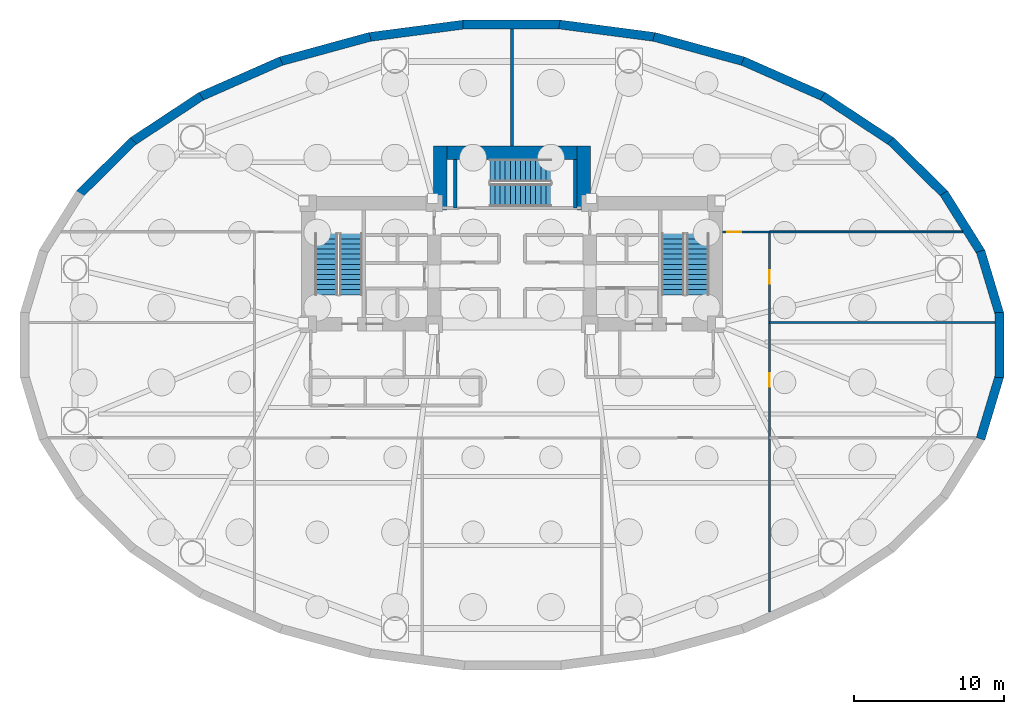
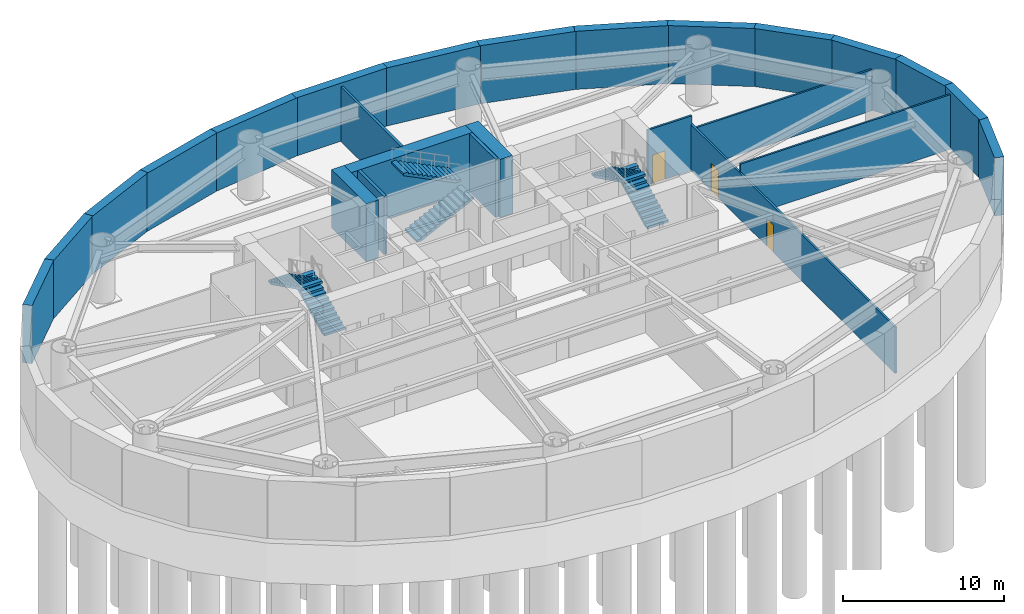
# One storey, part 5 of 7: 25 walls, 6 stair flights, 3 doors, 3 openings, 3 elements without a shape of their own.
"""IFC4 building model written with IfcOpenShell, lengths in metres."""

from ifc_helpers import new_model, si_unit, direction, frame, frame_2d, origin, place, context, subcontext, project, spatial, polyline, rectangle, outline, extrude, material, layer, layer_set, type_object, element, fill, aggregate, save


model = new_model("IFC4")

# Units and contexts
model_context = context("Model", 3, precision=1e-05, world=origin(), true_north=direction((0.0, 1.0)))
body_context = subcontext(model_context, "Body", "Model", "MODEL_VIEW")
ifc_project = project(units=[si_unit("LENGTHUNIT", "METRE"), si_unit("AREAUNIT", "SQUARE_METRE"), si_unit("VOLUMEUNIT", "CUBIC_METRE"), si_unit("PLANEANGLEUNIT", "RADIAN"), si_unit("MASSUNIT", "GRAM", prefix="KILO")], contexts=[model_context])

# Site, building, storey
site_placement = place(None, origin())
site = spatial("IfcSite", under=ifc_project, at=site_placement, CompositionType="ELEMENT")
building_placement = place(site_placement, origin())
building = spatial("IfcBuilding", under=site, at=building_placement, Name="Keldmark Tower", CompositionType="ELEMENT")
storey_placement = place(building_placement, frame((0.0, 0.0, -8.800048828125)))
storey = spatial("IfcBuildingStorey", under=building, at=storey_placement, Name="B02", CompositionType="ELEMENT", Elevation=-8.800048828125)

# Wall, openings, doors
ifc_material_1 = material(Name="Acoustic Double-Layer Gypsum Corridor Partition", Category="gypsum")
ifc_layer_1 = layer(ifc_material_1, 0.139892578125)
ifc_layer_set_1 = layer_set([ifc_layer_1], Name="Acoustic Double-Layer Gypsum Corridor Partition")
wall_type_1 = type_object("IfcWallType", Name="Acoustic Corridor Partition 140 mm", PredefinedType="PARTITIONING", material=ifc_layer_set_1)
wall_1_placement = place(storey_placement, frame((17.199951171875, -17.835693359375, 0.0), z_axis=(0.0, 0.0, 1.0), x_axis=(0.0, 1.0, 0.0)))
wall_1 = element("IfcWall", 1, at=wall_1_placement, inside=storey, type_object=wall_type_1, Name="B02 Acoustic Corridor Partition 140 mm COR-E", PredefinedType="PARTITIONING", context=body_context, shape_type="SweptSolid", body=[
    extrude(rectangle(XDim=25.3857421875, YDim=0.139892578125, at=frame_2d((12.69287109375, 0.0))), origin(), (0.0, 0.0, 1.0), 3.508056640625),
])
opening_1_placement = place(wall_1_placement, frame((15.03564453125, 0.0, 0.0)))
opening_1 = element("IfcOpeningElement", 2, at=opening_1_placement, cuts=wall_1, Name="Opening D-IN090", PredefinedType="OPENING", context=body_context, shape_type="SweptSolid", body=[
    extrude(rectangle(XDim=0.89990234375, YDim=2.10009765625, at=frame_2d((0.449951171875, 1.050048828125))), frame((0.0, 0.079833984375, 0.0), z_axis=(0.0, -1.0, 0.0), x_axis=(1.0, 0.0, 0.0)), (0.0, 0.0, 1.0), 0.159912109375),
])
opening_2_placement = place(wall_1_placement, frame((21.91064453125, 0.0, 0.0)))
opening_2 = element("IfcOpeningElement", 3, at=opening_2_placement, cuts=wall_1, Name="Opening D-IN090", PredefinedType="OPENING", context=body_context, shape_type="SweptSolid", body=[
    extrude(rectangle(XDim=0.89990234375, YDim=2.10009765625, at=frame_2d((0.449951171875, 1.050048828125))), frame((0.0, 0.079833984375, 0.0), z_axis=(0.0, -1.0, 0.0), x_axis=(1.0, 0.0, 0.0)), (0.0, 0.0, 1.0), 0.159912109375),
])
ifc_material_2 = material(Name="Stained American White Oak Veneer", Category="wood")
door_type_1 = type_object("IfcDoorType", Name="Interior Door 900x2100", OperationType="NOTDEFINED", PredefinedType="DOOR", material=ifc_material_2)
door_1_placement = place(opening_1_placement, origin())
door_1 = element("IfcDoor", 4, at=door_1_placement, inside=storey, type_object=door_type_1, Name="B02 Interior Door 900x2100 D-ER-1-B02", OperationType="SINGLE_SWING_RIGHT", OverallHeight=2.10009765625, OverallWidth=0.89990234375, PredefinedType="DOOR", context=body_context, shape_type="SweptSolid", body=[
    extrude(rectangle(XDim=0.89990234375, YDim=2.10009765625, at=frame_2d((0.449951171875, 1.050048828125))), frame((0.0, 0.02490234375, 0.0), z_axis=(0.0, -1.0, 0.0), x_axis=(1.0, 0.0, 0.0)), (0.0, 0.0, 1.0), 0.050048828125),
])
fill(opening_1, door_1)
door_2_placement = place(opening_2_placement, origin())
door_2 = element("IfcDoor", 5, at=door_2_placement, inside=storey, type_object=door_type_1, Name="B02 Interior Door 900x2100 D-ER-2-B02", OperationType="SINGLE_SWING_LEFT", OverallHeight=2.10009765625, OverallWidth=0.89990234375, PredefinedType="DOOR", context=body_context, shape_type="SweptSolid", body=[
    extrude(rectangle(XDim=0.89990234375, YDim=2.10009765625, at=frame_2d((0.449951171875, 1.050048828125))), frame((0.0, 0.02490234375, 0.0), z_axis=(0.0, -1.0, 0.0), x_axis=(1.0, 0.0, 0.0)), (0.0, 0.0, 1.0), 0.050048828125),
])
fill(opening_2, door_2)

# Wall, opening, door
wall_2_placement = place(storey_placement, frame((14.050048828125, 7.550048828125, 0.0), z_axis=(0.0, 0.0, 1.0), x_axis=(1.0, 0.0, 0.0)))
wall_2 = element("IfcWall", 6, at=wall_2_placement, inside=storey, type_object=wall_type_1, Name="B02 Acoustic Corridor Partition 140 mm COR-EN-CAP", PredefinedType="PARTITIONING", context=body_context, shape_type="SweptSolid", body=[
    extrude(rectangle(XDim=3.14990234375, YDim=0.139892578125, at=frame_2d((1.574951171875, 0.0))), origin(), (0.0, 0.0, 1.0), 4.14013671875),
])
opening_3_placement = place(wall_2_placement, frame((0.320068359375, 0.0, 0.0)))
opening_3 = element("IfcOpeningElement", 7, at=opening_3_placement, cuts=wall_2, Name="Opening D-EX092", PredefinedType="OPENING", context=body_context, shape_type="SweptSolid", body=[
    extrude(rectangle(XDim=0.919921875, YDim=2.14990234375, at=frame_2d((0.4599609375, 1.074951171875))), frame((0.0, 0.079833984375, 0.0), z_axis=(0.0, -1.0, 0.0), x_axis=(1.0, 0.0, 0.0)), (0.0, 0.0, 1.0), 0.159912109375),
])
ifc_material_3 = material(Name="Flush American Ash Executive Office Door", Category="wood")
door_type_2 = type_object("IfcDoorType", Name="Executive Office Door 920x2150", OperationType="NOTDEFINED", PredefinedType="DOOR", material=ifc_material_3)
door_3_placement = place(opening_3_placement, origin())
door_3 = element("IfcDoor", 8, at=door_3_placement, inside=storey, type_object=door_type_2, Name="B02 Executive Office Door 920x2150 D-NRNE-B02", OperationType="SINGLE_SWING_RIGHT", OverallHeight=2.14990234375, OverallWidth=0.919921875, PredefinedType="DOOR", context=body_context, shape_type="SweptSolid", body=[
    extrude(rectangle(XDim=0.919921875, YDim=2.14990234375, at=frame_2d((0.4599609375, 1.074951171875))), frame((0.0, 0.02490234375, 0.0), z_axis=(0.0, -1.0, 0.0), x_axis=(1.0, 0.0, 0.0)), (0.0, 0.0, 1.0), 0.050048828125),
])
fill(opening_3, door_3)

# Walls
ifc_material_4 = material(Name="Concrete C50/60", Category="concrete")
ifc_layer_2 = layer(ifc_material_4, 0.60009765625)
ifc_layer_set_2 = layer_set([ifc_layer_2], Name="Concrete C50/60")
wall_type_2 = type_object("IfcWallType", Name="Basement Retaining Wall 600 mm", PredefinedType="USERDEFINED", material=ifc_layer_set_2)
wall_3_placement = place(storey_placement, frame((32.5625, 2.021484375, 0.0), z_axis=(0.0, 0.0, 1.0), x_axis=(-0.288296686647, 0.95754113252, 0.0)))
element("IfcWall", 9, at=wall_3_placement, inside=storey, type_object=wall_type_2, Name="B02 Perimeter Retaining Wall 01", ObjectType="RETAINING WALL", PredefinedType="USERDEFINED", context=body_context, shape_type="SweptSolid", body=[
    extrude(rectangle(XDim=4.4375, YDim=0.60009765625, at=frame_2d((2.21875, 0.0))), origin(), (0.0, 0.0, 1.0), 4.400146484375),
])
wall_4_placement = place(storey_placement, frame((31.3408203125, 6.143310546875, 0.0), z_axis=(0.0, 0.0, 1.0), x_axis=(-0.531244363113, 0.847218641592, 0.0)))
element("IfcWall", 10, at=wall_4_placement, inside=storey, type_object=wall_type_2, Name="B02 Perimeter Retaining Wall 02", ObjectType="RETAINING WALL", PredefinedType="USERDEFINED", context=body_context, shape_type="SweptSolid", body=[
    extrude(rectangle(XDim=4.72021484375, YDim=0.60009765625, at=frame_2d((2.360107421875, 0.0))), origin(), (0.0, 0.0, 1.0), 4.400146484375),
])
wall_5_placement = place(storey_placement, frame((28.913818359375, 10.0419921875, 0.0), z_axis=(0.0, 0.0, 1.0), x_axis=(-0.711105403666, 0.70308541791, 0.0)))
element("IfcWall", 11, at=wall_5_placement, inside=storey, type_object=wall_type_2, Name="B02 Perimeter Retaining Wall 03", ObjectType="RETAINING WALL", PredefinedType="USERDEFINED", context=body_context, shape_type="SweptSolid", body=[
    extrude(rectangle(XDim=5.1142578125, YDim=0.60009765625, at=frame_2d((2.55712890625, 0.0))), origin(), (0.0, 0.0, 1.0), 4.400146484375),
])
wall_6_placement = place(storey_placement, frame((25.368896484375, 13.56298828125, 0.0), z_axis=(0.0, 0.0, 1.0), x_axis=(-0.834367518908, 0.551208529861, 0.0)))
element("IfcWall", 12, at=wall_6_placement, inside=storey, type_object=wall_type_2, Name="B02 Perimeter Retaining Wall 04", ObjectType="RETAINING WALL", PredefinedType="USERDEFINED", context=body_context, shape_type="SweptSolid", body=[
    extrude(rectangle(XDim=5.542236328125, YDim=0.60009765625, at=frame_2d((2.77099609375, 0.0))), origin(), (0.0, 0.0, 1.0), 4.400146484375),
])
wall_7_placement = place(storey_placement, frame((20.84130859375, 16.56494140625, 0.0), z_axis=(0.0, 0.0, 1.0), x_axis=(-0.91483072277, 0.403837527574, 0.0)))
element("IfcWall", 13, at=wall_7_placement, inside=storey, type_object=wall_type_2, Name="B02 Perimeter Retaining Wall 05", ObjectType="RETAINING WALL", PredefinedType="USERDEFINED", context=body_context, shape_type="SweptSolid", body=[
    extrude(rectangle(XDim=5.939697265625, YDim=0.60009765625, at=frame_2d((2.9697265625, 0.0))), origin(), (0.0, 0.0, 1.0), 4.400146484375),
])
wall_8_placement = place(storey_placement, frame((15.505859375, 18.9287109375, 0.0), z_axis=(0.0, 0.0, 1.0), x_axis=(-0.964548276597, 0.263906464707, 0.0)))
element("IfcWall", 14, at=wall_8_placement, inside=storey, type_object=wall_type_2, Name="B02 Perimeter Retaining Wall 06", ObjectType="RETAINING WALL", PredefinedType="USERDEFINED", context=body_context, shape_type="SweptSolid", body=[
    extrude(rectangle(XDim=6.256591796875, YDim=0.60009765625, at=frame_2d((3.12841796875, 0.0))), origin(), (0.0, 0.0, 1.0), 4.400146484375),
])
wall_9_placement = place(storey_placement, frame((9.570068359375, 20.559814453125, 0.0), z_axis=(0.0, 0.0, 1.0), x_axis=(-0.991471782517, 0.130321542624, 0.0)))
element("IfcWall", 15, at=wall_9_placement, inside=storey, type_object=wall_type_2, Name="B02 Perimeter Retaining Wall 07", ObjectType="RETAINING WALL", PredefinedType="USERDEFINED", context=body_context, shape_type="SweptSolid", body=[
    extrude(rectangle(XDim=6.45947265625, YDim=0.60009765625, at=frame_2d((3.229736328125, 0.0))), origin(), (0.0, 0.0, 1.0), 4.400146484375),
])
wall_10_placement = place(storey_placement, frame((3.2646484375, 21.39501953125, 0.0), z_axis=(0.0, 0.0, 1.0), x_axis=(-1.0, 0.0, 0.0)))
element("IfcWall", 16, at=wall_10_placement, inside=storey, type_object=wall_type_2, Name="B02 Perimeter Retaining Wall 08", ObjectType="RETAINING WALL", PredefinedType="USERDEFINED", context=body_context, shape_type="SweptSolid", body=[
    extrude(rectangle(XDim=6.529296875, YDim=0.60009765625, at=frame_2d((3.2646484375, 0.0))), origin(), (0.0, 0.0, 1.0), 4.400146484375),
])
wall_11_placement = place(storey_placement, frame((-3.165771484375, 21.401611328125, 0.0), z_axis=(0.0, 0.0, 1.0), x_axis=(-0.991471782517, -0.130321542624, 0.0)))
element("IfcWall", 17, at=wall_11_placement, inside=storey, type_object=wall_type_2, Name="B02 Perimeter Retaining Wall 09", ObjectType="RETAINING WALL", PredefinedType="USERDEFINED", context=body_context, shape_type="SweptSolid", body=[
    extrude(rectangle(XDim=6.45947265625, YDim=0.60009765625, at=frame_2d((3.229736328125, 0.0))), origin(), (0.0, 0.0, 1.0), 4.400146484375),
])
wall_12_placement = place(storey_placement, frame((-9.47119140625, 20.579833984375, 0.0), z_axis=(0.0, 0.0, 1.0), x_axis=(-0.964548276597, -0.263906464707, 0.0)))
element("IfcWall", 18, at=wall_12_placement, inside=storey, type_object=wall_type_2, Name="B02 Perimeter Retaining Wall 10", ObjectType="RETAINING WALL", PredefinedType="USERDEFINED", context=body_context, shape_type="SweptSolid", body=[
    extrude(rectangle(XDim=6.256591796875, YDim=0.60009765625, at=frame_2d((3.12841796875, 0.0))), origin(), (0.0, 0.0, 1.0), 4.400146484375),
])
wall_13_placement = place(storey_placement, frame((-15.407470703125, 18.963623046875, 0.0), z_axis=(0.0, 0.0, 1.0), x_axis=(-0.91483072277, -0.403837527574, 0.0)))
element("IfcWall", 19, at=wall_13_placement, inside=storey, type_object=wall_type_2, Name="B02 Perimeter Retaining Wall 11", ObjectType="RETAINING WALL", PredefinedType="USERDEFINED", context=body_context, shape_type="SweptSolid", body=[
    extrude(rectangle(XDim=5.939697265625, YDim=0.60009765625, at=frame_2d((2.9697265625, 0.0))), origin(), (0.0, 0.0, 1.0), 4.400146484375),
])
wall_14_placement = place(storey_placement, frame((-20.74462890625, 16.617919921875, 0.0), z_axis=(0.0, 0.0, 1.0), x_axis=(-0.834367518908, -0.551208529861, 0.0)))
element("IfcWall", 20, at=wall_14_placement, inside=storey, type_object=wall_type_2, Name="B02 Perimeter Retaining Wall 12", ObjectType="RETAINING WALL", PredefinedType="USERDEFINED", context=body_context, shape_type="SweptSolid", body=[
    extrude(rectangle(XDim=5.542236328125, YDim=0.60009765625, at=frame_2d((2.77099609375, 0.0))), origin(), (0.0, 0.0, 1.0), 4.400146484375),
])
wall_15_placement = place(storey_placement, frame((-25.277099609375, 13.6376953125, 0.0), z_axis=(0.0, 0.0, 1.0), x_axis=(-0.711105403666, -0.70308541791, 0.0)))
element("IfcWall", 21, at=wall_15_placement, inside=storey, type_object=wall_type_2, Name="B02 Perimeter Retaining Wall 13", ObjectType="RETAINING WALL", PredefinedType="USERDEFINED", context=body_context, shape_type="SweptSolid", body=[
    extrude(rectangle(XDim=5.1142578125, YDim=0.60009765625, at=frame_2d((2.55712890625, 0.0))), origin(), (0.0, 0.0, 1.0), 4.400146484375),
])
wall_16_placement = place(storey_placement, frame((31.283203125, -6.2705078125, 0.0), z_axis=(0.0, 0.0, 1.0), x_axis=(0.288296686647, 0.95754113252, 0.0)))
element("IfcWall", 22, at=wall_16_placement, inside=storey, type_object=wall_type_2, Name="B02 Perimeter Retaining Wall 31", ObjectType="RETAINING WALL", PredefinedType="USERDEFINED", context=body_context, shape_type="SweptSolid", body=[
    extrude(rectangle(XDim=4.4375, YDim=0.60009765625, at=frame_2d((2.21875, 0.0))), origin(), (0.0, 0.0, 1.0), 4.400146484375),
])
wall_17_placement = place(storey_placement, frame((32.541015625, -2.166748046875, 0.0), z_axis=(0.0, 0.0, 1.0), x_axis=(0.0, 1.0, 0.0)))
element("IfcWall", 23, at=wall_17_placement, inside=storey, type_object=wall_type_2, Name="B02 Perimeter Retaining Wall 32", ObjectType="RETAINING WALL", PredefinedType="USERDEFINED", context=body_context, shape_type="SweptSolid", body=[
    extrude(rectangle(XDim=4.33349609375, YDim=0.60009765625, at=frame_2d((2.166748046875, 0.0))), origin(), (0.0, 0.0, 1.0), 4.400146484375),
])
ifc_material_5 = material(Name="STC-58 Insulated Tenant Demising Gypsum Partition", Category="gypsum")
ifc_layer_3 = layer(ifc_material_5, 0.175048828125)
ifc_layer_set_3 = layer_set([ifc_layer_3], Name="STC-58 Insulated Tenant Demising Gypsum Partition")
wall_type_3 = type_object("IfcWallType", Name="Demising Suite Partition 175 mm", PredefinedType="PARTITIONING", material=ifc_layer_set_3)
wall_18_placement = place(storey_placement, frame((0.0, 13.300048828125, 0.0), z_axis=(0.0, 0.0, 1.0), x_axis=(0.0, 1.0, 0.0)))
element("IfcWall", 24, at=wall_18_placement, inside=storey, type_object=wall_type_3, Name="B02 Demising Suite Partition 175 mm N-MID-DIV", PredefinedType="PARTITIONING", context=body_context, shape_type="SweptSolid", body=[
    extrude(rectangle(XDim=7.786865234375, YDim=0.175048828125, at=frame_2d((3.8935546875, 0.0))), origin(), (0.0, 0.0, 1.0), 4.14013671875),
])
ifc_material_6 = material(Name="Acoustic Gypsum Board Interior Partition", Category="gypsum")
ifc_layer_4 = layer(ifc_material_6, 0.1298828125)
ifc_layer_set_4 = layer_set([ifc_layer_4], Name="Acoustic Gypsum Board Interior Partition")
wall_type_4 = type_object("IfcWallType", Name="Interior Partition 130 mm", PredefinedType="PARTITIONING", material=ifc_layer_set_4)
wall_19_placement = place(storey_placement, frame((17.199951171875, 7.550048828125, 0.0), z_axis=(0.0, 0.0, 1.0), x_axis=(1.0, 0.0, 0.0)))
element("IfcWall", 25, at=wall_19_placement, inside=storey, type_object=wall_type_4, Name="B02 Interior Partition 130 mm E-CAP-N", PredefinedType="PARTITIONING", context=body_context, shape_type="SweptSolid", body=[
    extrude(rectangle(XDim=12.895263671875, YDim=0.1298828125, at=frame_2d((6.44775390625, 0.0))), origin(), (0.0, 0.0, 1.0), 3.1181640625),
])
wall_20_placement = place(storey_placement, frame((17.199951171875, 1.5, 0.0), z_axis=(0.0, 0.0, 1.0), x_axis=(1.0, 0.0, 0.0)))
element("IfcWall", 26, at=wall_20_placement, inside=storey, type_object=wall_type_4, Name="B02 Interior Partition 130 mm E-DIV-1", PredefinedType="PARTITIONING", context=body_context, shape_type="SweptSolid", body=[
    extrude(rectangle(XDim=15.033203125, YDim=0.1298828125, at=frame_2d((7.5166015625, 0.0))), origin(), (0.0, 0.0, 1.0), 4.14013671875),
])
ifc_material_7 = material(Name="Concrete C70/85", Category="concrete")
ifc_layer_5 = layer(ifc_material_7, 0.89990234375)
ifc_layer_set_5 = layer_set([ifc_layer_5], Name="Concrete C70/85")
wall_type_5 = type_object("IfcWallType", Name="Lower Core Shear Wall 900 mm", PredefinedType="SHEAR", material=ifc_layer_set_5)
wall_21_placement = place(storey_placement, frame((-5.25, 12.85009765625, 0.0), z_axis=(0.0, 0.0, 1.0), x_axis=(1.0, 0.0, 0.0)))
element("IfcWall", 27, at=wall_21_placement, inside=storey, type_object=wall_type_5, Name="B02 North Core Shear Wall", PredefinedType="SHEAR", context=body_context, shape_type="SweptSolid", body=[
    extrude(rectangle(XDim=10.5, YDim=0.89990234375, at=frame_2d((5.25, 0.0))), origin(), (0.0, 0.0, 1.0), 4.400146484375),
])
for number, where, z_axis, x_axis, name in (
    (28, (-4.800048828125, 9.0, 0.0), (0.0, 0.0, 1.0), (0.0, 1.0, 0.0), "B02 North Core West Shear Wall"),
    (29, (4.800048828125, 9.0, 0.0), (0.0, 0.0, 1.0), (0.0, 1.0, 0.0), "B02 North Core East Shear Wall"),
):
    element("IfcWall", number, at=place(storey_placement, frame(where, z_axis=z_axis, x_axis=x_axis)), inside=storey, type_object=wall_type_5, Name=name, PredefinedType="SHEAR", context=body_context, shape_type="SweptSolid", body=[
        extrude(rectangle(XDim=4.300048828125, YDim=0.89990234375, at=frame_2d((2.14990234375, 0.0))), origin(), (0.0, 0.0, 1.0), 4.400146484375),
    ])
ifc_material_8 = material(Name="Concrete C50/60", Category="concrete")
ifc_layer_6 = layer(ifc_material_8, 0.219970703125)
ifc_layer_set_6 = layer_set([ifc_layer_6], Name="Concrete C50/60")
wall_type_6 = type_object("IfcWallType", Name="Stair Core Shear Wall 220 mm", PredefinedType="SHEAR", material=ifc_layer_set_6)
for number, where, z_axis, x_axis, name in (
    (30, (-3.784912109375, 9.139892578125, 0.0), (0.0, 0.0, 1.0), (0.0, 1.0, 0.0), "B02 Central Stair Core West Shear Wall"),
    (31, (4.215087890625, 9.139892578125, 0.0), (0.0, 0.0, 1.0), (0.0, 1.0, 0.0), "B02 Central Stair Core East Shear Wall"),
):
    element("IfcWall", number, at=place(storey_placement, frame(where, z_axis=z_axis, x_axis=x_axis)), inside=storey, type_object=wall_type_6, Name=name, PredefinedType="SHEAR", context=body_context, shape_type="SweptSolid", body=[
        extrude(rectangle(XDim=3.260009765625, YDim=0.219970703125, at=frame_2d((1.6298828125, 0.0))), origin(), (0.0, 0.0, 1.0), 4.400146484375),
    ])

# Stair, stair flights
ifc_material_9 = material(Name="Concrete C40/50", Category="concrete")
stair_type = type_object("IfcStairType", Name="Precast Concrete Core Exit Stair", PredefinedType="HALF_TURN_STAIR", material=ifc_material_9)
stair_1_placement = place(storey_placement, origin())
stair_1 = element("IfcStair", 32, at=stair_1_placement, inside=storey, type_object=stair_type, Name="B02 Exit Stair ST1", PredefinedType="HALF_TURN_STAIR")
ifc_material_10 = material(Name="Concrete C40/50", Category="concrete")
stair_flight_type = type_object("IfcStairFlightType", Name="Precast Concrete Stair Flight 1500 mm", PredefinedType="STRAIGHT", material=ifc_material_10)
stair_flight_1_placement = place(storey_placement, frame((-10.75, 3.35009765625, 0.0), z_axis=(0.0, 0.0, 1.0), x_axis=(0.0, 1.0, 0.0)))
stair_flight_1 = element("IfcStairFlight", 33, at=stair_flight_1_placement, type_object=stair_flight_type, Name="ST1 flight 1", NumberOfRisers=13, NumberOfTreads=12, PredefinedType="STRAIGHT", RiserHeight=0.169230769, TreadLength=0.34, context=body_context, shape_type="SweptSolid", body=[
    extrude(outline(polyline([(0.0, 0.0), (0.0, 0.169189453125), (0.340087890625, 0.169189453125), (0.340087890625, 0.33837890625), (0.679931640625, 0.33837890625), (0.679931640625, 0.5078125), (1.02001953125, 0.5078125), (1.02001953125, 0.677001953125), (1.360107421875, 0.677001953125), (1.360107421875, 0.84619140625), (1.699951171875, 0.84619140625), (1.699951171875, 1.015380859375), (2.0400390625, 1.015380859375), (2.0400390625, 1.1845703125), (2.3798828125, 1.1845703125), (2.3798828125, 1.353759765625), (2.719970703125, 1.353759765625), (2.719970703125, 1.523193359375), (3.06005859375, 1.523193359375), (3.06005859375, 1.6923828125), (3.39990234375, 1.6923828125), (3.39990234375, 1.861572265625), (3.739990234375, 1.861572265625), (3.739990234375, 2.03076171875), (4.080078125, 2.03076171875), (4.080078125, 2.199951171875), (4.080078125, 1.86328125), (0.33642578125, 0.0), (0.0, 0.0)])), frame((0.0, 0.75, 0.0), z_axis=(0.0, -1.0, 0.0), x_axis=(1.0, 0.0, 0.0)), (0.0, 0.0, 1.0), 1.5),
])
stair_flight_2_placement = place(storey_placement, frame((-12.39990234375, 7.429931640625, 2.199951171875), z_axis=(0.0, 0.0, 1.0), x_axis=(0.0, -1.0, 0.0)))
stair_flight_2 = element("IfcStairFlight", 34, at=stair_flight_2_placement, type_object=stair_flight_type, Name="ST1 flight 2", NumberOfRisers=13, NumberOfTreads=12, PredefinedType="STRAIGHT", RiserHeight=0.169230769, TreadLength=0.34, context=body_context, shape_type="SweptSolid", body=[
    extrude(outline(polyline([(0.0, 0.0), (0.0, 0.169189453125), (0.340087890625, 0.169189453125), (0.340087890625, 0.33837890625), (0.679931640625, 0.33837890625), (0.679931640625, 0.5078125), (1.02001953125, 0.5078125), (1.02001953125, 0.677001953125), (1.360107421875, 0.677001953125), (1.360107421875, 0.84619140625), (1.699951171875, 0.84619140625), (1.699951171875, 1.015380859375), (2.0400390625, 1.015380859375), (2.0400390625, 1.1845703125), (2.3798828125, 1.1845703125), (2.3798828125, 1.353759765625), (2.719970703125, 1.353759765625), (2.719970703125, 1.523193359375), (3.06005859375, 1.523193359375), (3.06005859375, 1.6923828125), (3.39990234375, 1.6923828125), (3.39990234375, 1.861572265625), (3.739990234375, 1.861572265625), (3.739990234375, 2.03076171875), (4.080078125, 2.03076171875), (4.080078125, 2.199951171875), (4.080078125, 1.86328125), (0.33642578125, 0.0), (0.0, 0.0)])), frame((0.0, 0.75, 0.0), z_axis=(0.0, -1.0, 0.0), x_axis=(1.0, 0.0, 0.0)), (0.0, 0.0, 1.0), 1.5),
])
aggregate(stair_1, [stair_flight_1, stair_flight_2])

stair_2_placement = place(storey_placement, origin())
stair_2 = element("IfcStair", 35, at=stair_2_placement, inside=storey, type_object=stair_type, Name="B02 Exit Stair ST2", PredefinedType="HALF_TURN_STAIR")
stair_flight_3_placement = place(storey_placement, frame((12.39990234375, 3.35009765625, 0.0), z_axis=(0.0, 0.0, 1.0), x_axis=(0.0, 1.0, 0.0)))
stair_flight_3 = element("IfcStairFlight", 36, at=stair_flight_3_placement, type_object=stair_flight_type, Name="ST2 flight 1", NumberOfRisers=13, NumberOfTreads=12, PredefinedType="STRAIGHT", RiserHeight=0.169230769, TreadLength=0.34, context=body_context, shape_type="SweptSolid", body=[
    extrude(outline(polyline([(0.0, 0.0), (0.0, 0.169189453125), (0.340087890625, 0.169189453125), (0.340087890625, 0.33837890625), (0.679931640625, 0.33837890625), (0.679931640625, 0.5078125), (1.02001953125, 0.5078125), (1.02001953125, 0.677001953125), (1.360107421875, 0.677001953125), (1.360107421875, 0.84619140625), (1.699951171875, 0.84619140625), (1.699951171875, 1.015380859375), (2.0400390625, 1.015380859375), (2.0400390625, 1.1845703125), (2.3798828125, 1.1845703125), (2.3798828125, 1.353759765625), (2.719970703125, 1.353759765625), (2.719970703125, 1.523193359375), (3.06005859375, 1.523193359375), (3.06005859375, 1.6923828125), (3.39990234375, 1.6923828125), (3.39990234375, 1.861572265625), (3.739990234375, 1.861572265625), (3.739990234375, 2.03076171875), (4.080078125, 2.03076171875), (4.080078125, 2.199951171875), (4.080078125, 1.86328125), (0.33642578125, 0.0), (0.0, 0.0)])), frame((0.0, 0.75, 0.0), z_axis=(0.0, -1.0, 0.0), x_axis=(1.0, 0.0, 0.0)), (0.0, 0.0, 1.0), 1.5),
])
stair_flight_4_placement = place(storey_placement, frame((10.75, 7.429931640625, 2.199951171875), z_axis=(0.0, 0.0, 1.0), x_axis=(0.0, -1.0, 0.0)))
stair_flight_4 = element("IfcStairFlight", 37, at=stair_flight_4_placement, type_object=stair_flight_type, Name="ST2 flight 2", NumberOfRisers=13, NumberOfTreads=12, PredefinedType="STRAIGHT", RiserHeight=0.169230769, TreadLength=0.34, context=body_context, shape_type="SweptSolid", body=[
    extrude(outline(polyline([(0.0, 0.0), (0.0, 0.169189453125), (0.340087890625, 0.169189453125), (0.340087890625, 0.33837890625), (0.679931640625, 0.33837890625), (0.679931640625, 0.5078125), (1.02001953125, 0.5078125), (1.02001953125, 0.677001953125), (1.360107421875, 0.677001953125), (1.360107421875, 0.84619140625), (1.699951171875, 0.84619140625), (1.699951171875, 1.015380859375), (2.0400390625, 1.015380859375), (2.0400390625, 1.1845703125), (2.3798828125, 1.1845703125), (2.3798828125, 1.353759765625), (2.719970703125, 1.353759765625), (2.719970703125, 1.523193359375), (3.06005859375, 1.523193359375), (3.06005859375, 1.6923828125), (3.39990234375, 1.6923828125), (3.39990234375, 1.861572265625), (3.739990234375, 1.861572265625), (3.739990234375, 2.03076171875), (4.080078125, 2.03076171875), (4.080078125, 2.199951171875), (4.080078125, 1.86328125), (0.33642578125, 0.0), (0.0, 0.0)])), frame((0.0, 0.75, 0.0), z_axis=(0.0, -1.0, 0.0), x_axis=(1.0, 0.0, 0.0)), (0.0, 0.0, 1.0), 1.5),
])
aggregate(stair_2, [stair_flight_3, stair_flight_4])

stair_3_placement = place(storey_placement, origin())
stair_3 = element("IfcStair", 38, at=stair_3_placement, inside=storey, type_object=stair_type, Name="B02 Exit Stair ST3", PredefinedType="HALF_TURN_STAIR")
stair_flight_5_placement = place(storey_placement, frame((-1.47509765625, 10.0, 0.0), z_axis=(0.0, 0.0, 1.0), x_axis=(1.0, 0.0, 0.0)))
stair_flight_5 = element("IfcStairFlight", 39, at=stair_flight_5_placement, type_object=stair_flight_type, Name="ST3 flight 1", NumberOfRisers=13, NumberOfTreads=12, PredefinedType="STRAIGHT", RiserHeight=0.169230769, TreadLength=0.34, context=body_context, shape_type="SweptSolid", body=[
    extrude(outline(polyline([(0.0, 0.0), (0.0, 0.169189453125), (0.340087890625, 0.169189453125), (0.340087890625, 0.33837890625), (0.679931640625, 0.33837890625), (0.679931640625, 0.5078125), (1.02001953125, 0.5078125), (1.02001953125, 0.677001953125), (1.360107421875, 0.677001953125), (1.360107421875, 0.84619140625), (1.699951171875, 0.84619140625), (1.699951171875, 1.015380859375), (2.0400390625, 1.015380859375), (2.0400390625, 1.1845703125), (2.3798828125, 1.1845703125), (2.3798828125, 1.353759765625), (2.719970703125, 1.353759765625), (2.719970703125, 1.523193359375), (3.06005859375, 1.523193359375), (3.06005859375, 1.6923828125), (3.39990234375, 1.6923828125), (3.39990234375, 1.861572265625), (3.739990234375, 1.861572265625), (3.739990234375, 2.03076171875), (4.080078125, 2.03076171875), (4.080078125, 2.199951171875), (4.080078125, 1.86328125), (0.33642578125, 0.0), (0.0, 0.0)])), frame((0.0, 0.75, 0.0), z_axis=(0.0, -1.0, 0.0), x_axis=(1.0, 0.0, 0.0)), (0.0, 0.0, 1.0), 1.5),
])
stair_flight_6_placement = place(storey_placement, frame((2.60498046875, 11.64990234375, 2.199951171875), z_axis=(0.0, 0.0, 1.0), x_axis=(-1.0, 0.0, 0.0)))
stair_flight_6 = element("IfcStairFlight", 40, at=stair_flight_6_placement, type_object=stair_flight_type, Name="ST3 flight 2", NumberOfRisers=13, NumberOfTreads=12, PredefinedType="STRAIGHT", RiserHeight=0.169230769, TreadLength=0.34, context=body_context, shape_type="SweptSolid", body=[
    extrude(outline(polyline([(0.0, 0.0), (0.0, 0.169189453125), (0.340087890625, 0.169189453125), (0.340087890625, 0.33837890625), (0.679931640625, 0.33837890625), (0.679931640625, 0.5078125), (1.02001953125, 0.5078125), (1.02001953125, 0.677001953125), (1.360107421875, 0.677001953125), (1.360107421875, 0.84619140625), (1.699951171875, 0.84619140625), (1.699951171875, 1.015380859375), (2.0400390625, 1.015380859375), (2.0400390625, 1.1845703125), (2.3798828125, 1.1845703125), (2.3798828125, 1.353759765625), (2.719970703125, 1.353759765625), (2.719970703125, 1.523193359375), (3.06005859375, 1.523193359375), (3.06005859375, 1.6923828125), (3.39990234375, 1.6923828125), (3.39990234375, 1.861572265625), (3.739990234375, 1.861572265625), (3.739990234375, 2.03076171875), (4.080078125, 2.03076171875), (4.080078125, 2.199951171875), (4.080078125, 1.86328125), (0.33642578125, 0.0), (0.0, 0.0)])), frame((0.0, 0.75, 0.0), z_axis=(0.0, -1.0, 0.0), x_axis=(1.0, 0.0, 0.0)), (0.0, 0.0, 1.0), 1.5),
])
aggregate(stair_3, [stair_flight_5, stair_flight_6])

save(model, "model.ifc")
